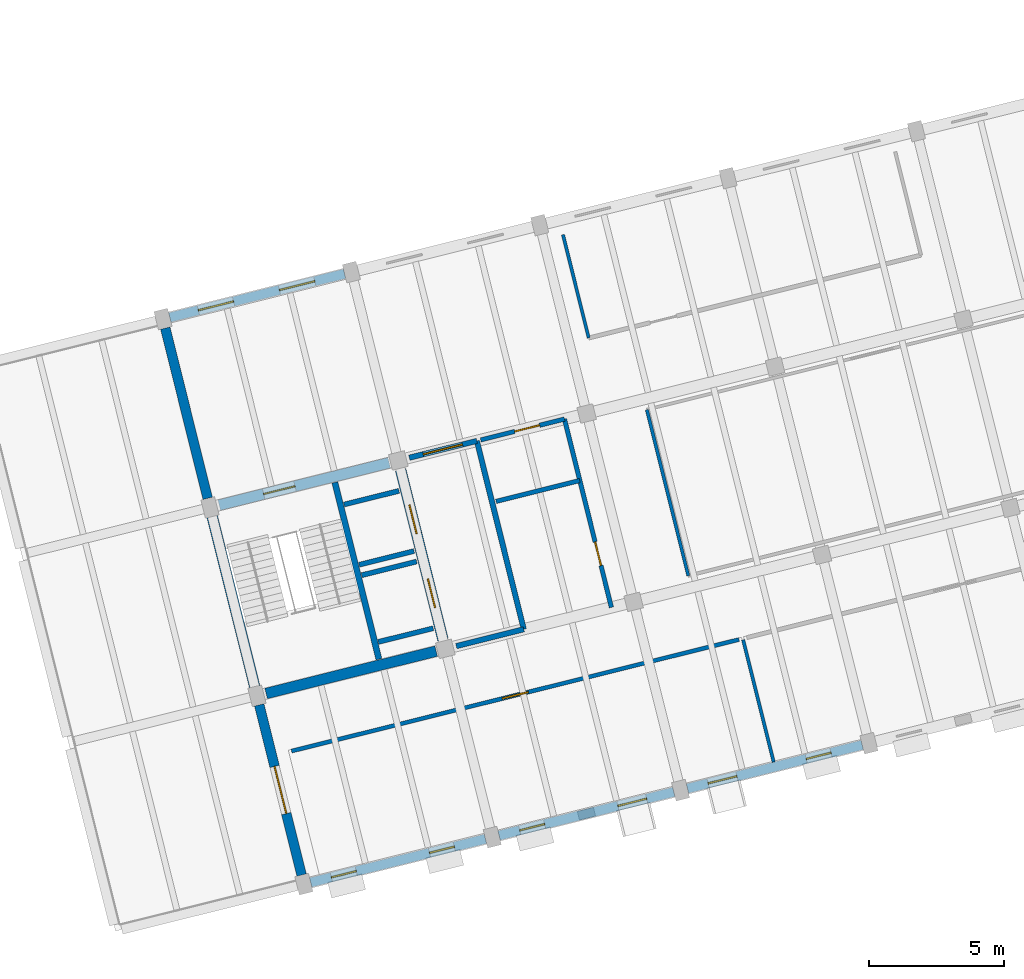
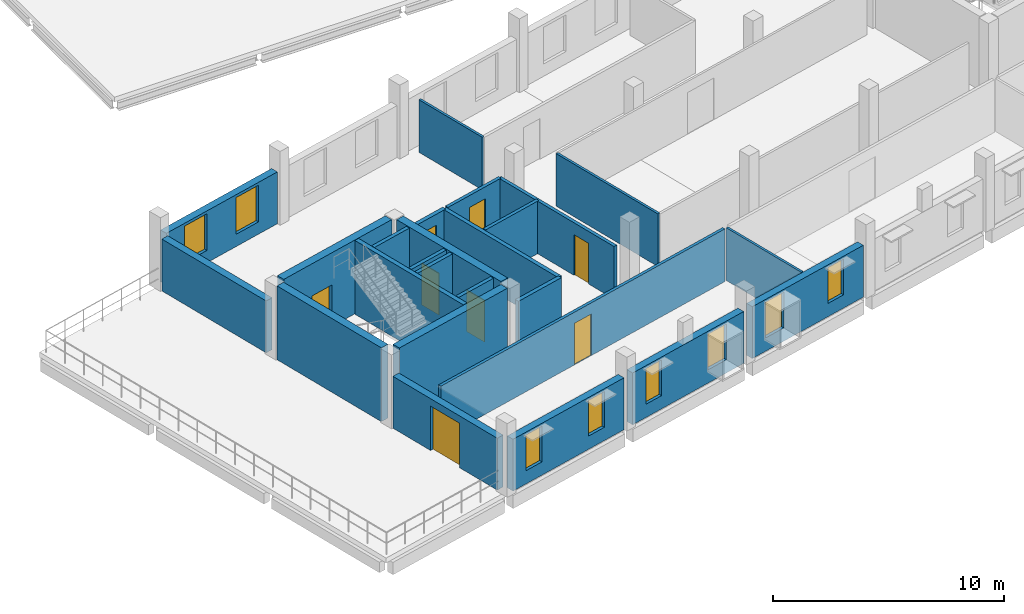
# One storey, part 23 of 32: 25 walls, 8 doors, 8 windows, 16 openings.
"""IFC4 building model written with IfcOpenShell, lengths in metres."""

from ifc_helpers import new_model, si_unit, direction, frame, frame_2d, origin, place, context, subcontext, project, spatial, rectangle, extrude, material, layer, layer_set, type_object, element, fill, save


model = new_model("IFC4")

# Units and contexts
model_context = context("Model", 3, precision=1e-05, world=origin(), true_north=direction((0.0, 1.0)))
body_context = subcontext(model_context, "Body", "Model", "MODEL_VIEW")
ifc_project = project(units=[si_unit("LENGTHUNIT", "METRE"), si_unit("AREAUNIT", "SQUARE_METRE"), si_unit("VOLUMEUNIT", "CUBIC_METRE"), si_unit("PLANEANGLEUNIT", "RADIAN"), si_unit("MASSUNIT", "GRAM", prefix="KILO")], contexts=[model_context])

# Site, building, storey
site_placement = place(None, origin())
site = spatial("IfcSite", under=ifc_project, at=site_placement, CompositionType="ELEMENT")
building_placement = place(site_placement, origin())
building = spatial("IfcBuilding", under=site, at=building_placement, Name="Qiaolan Assembly House", CompositionType="ELEMENT")
storey_placement = place(building_placement, frame((0.0, 0.0, 18.60009765625)))
storey = spatial("IfcBuildingStorey", under=building, at=storey_placement, Name="L04", CompositionType="ELEMENT", Elevation=18.60009765625)

# Wall
ifc_material_1 = material(Name="Concrete C45/55", Category="concrete")
ifc_layer_1 = layer(ifc_material_1, 0.39990234375)
ifc_layer_set_1 = layer_set([ifc_layer_1], Name="Concrete C45/55")
wall_type_1 = type_object("IfcWallType", Name="WAL-CORE-400", PredefinedType="SHEAR", material=ifc_layer_set_1)
wall_1_placement = place(storey_placement, frame((41.583984375, 8.812744140625, 0.0), z_axis=(0.0, 0.0, 1.0), x_axis=(0.970294759049, 0.241925774902, 0.0)))
element("IfcWall", 1, at=wall_1_placement, inside=storey, type_object=wall_type_1, Name="CW-400 shear core wall CORE-C S L04", PredefinedType="SHEAR", context=body_context, shape_type="SweptSolid", body=[
    extrude(rectangle(XDim=6.5, YDim=0.39990234375, at=frame_2d((3.25, 0.0))), origin(), (0.0, 0.0, 1.0), 3.89990234375),
])

# Wall, openings, doors
wall_2_placement = place(storey_placement, frame((48.145751953125, 10.809326171875, 0.0), z_axis=(0.0, 0.0, 1.0), x_axis=(-0.241925774902, 0.970294759049, 0.0)))
wall_2 = element("IfcWall", 2, at=wall_2_placement, inside=storey, type_object=wall_type_1, Name="CW-400 shear core wall CORE-C E L04", PredefinedType="SHEAR", context=body_context, shape_type="SweptSolid", body=[
    extrude(rectangle(XDim=6.5, YDim=0.39990234375, at=frame_2d((3.25, 0.0))), origin(), (0.0, 0.0, 1.0), 3.89990234375),
])
opening_1_placement = place(wall_2_placement, frame((1.22509765625, 0.0, 0.0)))
opening_1 = element("IfcOpeningElement", 3, at=opening_1_placement, cuts=wall_2, Name="Opening LD-050", PredefinedType="OPENING", context=body_context, shape_type="SweptSolid", body=[
    extrude(rectangle(XDim=1.10009765625, YDim=2.199951171875, at=frame_2d((0.550048828125, 1.10009765625))), frame((0.0, 0.2099609375, 0.0), z_axis=(0.0, -1.0, 0.0), x_axis=(1.0, 0.0, 0.0)), (0.0, 0.0, 1.0), 0.419921875),
])
opening_2_placement = place(wall_2_placement, frame((4.050048828125, 0.0, 0.0)))
opening_2 = element("IfcOpeningElement", 4, at=opening_2_placement, cuts=wall_2, Name="Opening LD-056", PredefinedType="OPENING", context=body_context, shape_type="SweptSolid", body=[
    extrude(rectangle(XDim=1.10009765625, YDim=2.199951171875, at=frame_2d((0.550048828125, 1.10009765625))), frame((0.0, 0.2099609375, 0.0), z_axis=(0.0, -1.0, 0.0), x_axis=(1.0, 0.0, 0.0)), (0.0, 0.0, 1.0), 0.419921875),
])
ifc_material_2 = material(Name="Anodised bronze aluminium", Category="aluminium")
door_type_1 = type_object("IfcDoorType", Name="DOR-LIFT-LD1100", OperationType="SLIDING_TO_LEFT", PredefinedType="DOOR", material=ifc_material_2)
door_1_placement = place(opening_1_placement, origin())
door_1 = element("IfcDoor", 5, at=door_1_placement, inside=storey, type_object=door_type_1, Name="Lift landing door LD-050 (LF-06 L04)", OperationType="SLIDING_TO_LEFT", OverallHeight=2.199951171875, OverallWidth=1.10009765625, PredefinedType="DOOR", context=body_context, shape_type="SweptSolid", body=[
    extrude(rectangle(XDim=1.10009765625, YDim=2.199951171875, at=frame_2d((0.550048828125, 1.10009765625))), frame((0.0, 0.02490234375, 0.0), z_axis=(0.0, -1.0, 0.0), x_axis=(1.0, 0.0, 0.0)), (0.0, 0.0, 1.0), 0.050048828125),
])
fill(opening_1, door_1)
door_2_placement = place(opening_2_placement, origin())
door_2 = element("IfcDoor", 6, at=door_2_placement, inside=storey, type_object=door_type_1, Name="Lift landing door LD-056 (LF-07 L04)", OperationType="SLIDING_TO_LEFT", OverallHeight=2.199951171875, OverallWidth=1.10009765625, PredefinedType="DOOR", context=body_context, shape_type="SweptSolid", body=[
    extrude(rectangle(XDim=1.10009765625, YDim=2.199951171875, at=frame_2d((0.550048828125, 1.10009765625))), frame((0.0, 0.02490234375, 0.0), z_axis=(0.0, -1.0, 0.0), x_axis=(1.0, 0.0, 0.0)), (0.0, 0.0, 1.0), 0.050048828125),
])
fill(opening_2, door_2)

# Wall, opening, door
wall_3_placement = place(storey_placement, frame((46.14892578125, 17.371337890625, 0.0), z_axis=(0.0, 0.0, 1.0), x_axis=(-0.970294759049, -0.241925774902, 0.0)))
wall_3 = element("IfcWall", 7, at=wall_3_placement, inside=storey, type_object=wall_type_1, Name="CW-400 shear core wall CORE-C N L04", PredefinedType="SHEAR", context=body_context, shape_type="SweptSolid", body=[
    extrude(rectangle(XDim=6.5, YDim=0.39990234375, at=frame_2d((3.25, 0.0))), origin(), (0.0, 0.0, 1.0), 3.89990234375),
])
opening_3_placement = place(wall_3_placement, frame((3.60009765625, 0.0, 0.0)))
opening_3 = element("IfcOpeningElement", 8, at=opening_3_placement, cuts=wall_3, Name="Opening FD-087", PredefinedType="OPENING", context=body_context, shape_type="SweptSolid", body=[
    extrude(rectangle(XDim=1.199951171875, YDim=2.199951171875, at=frame_2d((0.60009765625, 1.10009765625))), frame((0.0, 0.2099609375, 0.0), z_axis=(0.0, -1.0, 0.0), x_axis=(1.0, 0.0, 0.0)), (0.0, 0.0, 1.0), 0.419921875),
])
ifc_material_3 = material(Name="Steel Q355B", Category="steel")
door_type_2 = type_object("IfcDoorType", Name="DOR-FIRE-FD90-1200", OperationType="NOTDEFINED", PredefinedType="DOOR", material=ifc_material_3)
door_3_placement = place(opening_3_placement, frame((1.199951171875, 0.0, 0.0), z_axis=(0.0, 0.0, 1.0), x_axis=(-1.0, 0.0, 0.0)))
door_3 = element("IfcDoor", 9, at=door_3_placement, inside=storey, type_object=door_type_2, Name="Stairwell fire door FD-087 (CORE-C L04)", OperationType="SINGLE_SWING_LEFT", OverallHeight=2.199951171875, OverallWidth=1.199951171875, PredefinedType="DOOR", context=body_context, shape_type="SweptSolid", body=[
    extrude(rectangle(XDim=1.199951171875, YDim=2.199951171875, at=frame_2d((0.60009765625, 1.10009765625))), frame((0.0, 0.02490234375, 0.0), z_axis=(0.0, -1.0, 0.0), x_axis=(1.0, 0.0, 0.0)), (0.0, 0.0, 1.0), 0.050048828125),
])
fill(opening_3, door_3)

# Wall
wall_4_placement = place(storey_placement, frame((39.587158203125, 15.37451171875, 0.0), z_axis=(0.0, 0.0, 1.0), x_axis=(0.241925774902, -0.970294759049, 0.0)))
element("IfcWall", 10, at=wall_4_placement, inside=storey, type_object=wall_type_1, Name="CW-400 shear core wall CORE-C W L04", PredefinedType="SHEAR", context=body_context, shape_type="SweptSolid", body=[
    extrude(rectangle(XDim=6.5, YDim=0.39990234375, at=frame_2d((3.25, 0.0))), origin(), (0.0, 0.0, 1.0), 3.89990234375),
])

# Wall, openings, windows
ifc_material_4 = material(Name="Honed pale limestone", Category="masonry")
ifc_layer_2 = layer(ifc_material_4, 0.360107421875)
ifc_layer_set_2 = layer_set([ifc_layer_2], Name="Honed pale limestone")
wall_type_2 = type_object("IfcWallType", Name="WAL-EXT-LIMESTONE-360", PredefinedType="SOLIDWALL", material=ifc_layer_set_2)
wall_5_placement = place(storey_placement, frame((43.236572265625, 1.80419921875, 0.0), z_axis=(0.0, 0.0, 1.0), x_axis=(0.970297004388, 0.241916769314, 0.0)))
wall_5 = element("IfcWall", 11, at=wall_5_placement, inside=storey, type_object=wall_type_2, Name="EW-360 SE South boulevard wall L04 bay 1", PredefinedType="SOLIDWALL", context=body_context, shape_type="SweptSolid", body=[
    extrude(rectangle(XDim=6.683837890625, YDim=0.360107421875, at=frame_2d((3.341796875, 0.0))), origin(), (0.0, 0.0, 1.0), 2.739990234375),
])
opening_4_placement = place(wall_5_placement, frame((0.7919921875, 0.0, 0.699951171875)))
opening_4 = element("IfcOpeningElement", 12, at=opening_4_placement, cuts=wall_5, Name="Opening WN-340", PredefinedType="OPENING", context=body_context, shape_type="SweptSolid", body=[
    extrude(rectangle(XDim=0.949951171875, YDim=1.889892578125, at=frame_2d((0.47509765625, 0.94482421875))), frame((0.0, 0.18994140625, 0.0), z_axis=(0.0, -1.0, 0.0), x_axis=(1.0, 0.0, 0.0)), (0.0, 0.0, 1.0), 0.380126953125),
])
opening_5_placement = place(wall_5_placement, frame((4.5419921875, 0.0, 0.699951171875)))
opening_5 = element("IfcOpeningElement", 13, at=opening_5_placement, cuts=wall_5, Name="Opening WN-341", PredefinedType="OPENING", context=body_context, shape_type="SweptSolid", body=[
    extrude(rectangle(XDim=0.949951171875, YDim=1.889892578125, at=frame_2d((0.47509765625, 0.94482421875))), frame((0.0, 0.18994140625, 0.0), z_axis=(0.0, -1.0, 0.0), x_axis=(1.0, 0.0, 0.0)), (0.0, 0.0, 1.0), 0.380126953125),
])
ifc_material_5 = material(Name="Low-E double insulating glass", Category="glass")
window_type_1 = type_object("IfcWindowType", Name="WIN-PUNCH-950x2150", PartitioningType="SINGLE_PANEL", PredefinedType="WINDOW", material=ifc_material_5)
window_1_placement = place(opening_4_placement, origin())
window_1 = element("IfcWindow", 14, at=window_1_placement, inside=storey, type_object=window_type_1, Name="WN-T14 splayed window WN-340", OverallHeight=1.889892578125, OverallWidth=0.949951171875, PartitioningType="SINGLE_PANEL", PredefinedType="WINDOW", context=body_context, shape_type="SweptSolid", body=[
    extrude(rectangle(XDim=0.949951171875, YDim=1.889892578125, at=frame_2d((0.47509765625, 0.94482421875))), frame((0.0, 0.030029296875, 0.0), z_axis=(0.0, -1.0, 0.0), x_axis=(1.0, 0.0, 0.0)), (0.0, 0.0, 1.0), 0.06005859375),
])
fill(opening_4, window_1)
window_2_placement = place(opening_5_placement, origin())
window_2 = element("IfcWindow", 15, at=window_2_placement, inside=storey, type_object=window_type_1, Name="WN-T14 splayed window WN-341", OverallHeight=1.889892578125, OverallWidth=0.949951171875, PartitioningType="SINGLE_PANEL", PredefinedType="WINDOW", context=body_context, shape_type="SweptSolid", body=[
    extrude(rectangle(XDim=0.949951171875, YDim=1.889892578125, at=frame_2d((0.47509765625, 0.94482421875))), frame((0.0, 0.030029296875, 0.0), z_axis=(0.0, -1.0, 0.0), x_axis=(1.0, 0.0, 0.0)), (0.0, 0.0, 1.0), 0.06005859375),
])
fill(opening_5, window_2)

wall_6_placement = place(storey_placement, frame((50.22265625, 3.546142578125, 0.0), z_axis=(0.0, 0.0, 1.0), x_axis=(0.970297004388, 0.241916769314, 0.0)))
wall_6 = element("IfcWall", 16, at=wall_6_placement, inside=storey, type_object=wall_type_2, Name="EW-360 SE South boulevard wall L04 bay 2", PredefinedType="SOLIDWALL", context=body_context, shape_type="SweptSolid", body=[
    extrude(rectangle(XDim=6.683837890625, YDim=0.360107421875, at=frame_2d((3.341796875, 0.0))), origin(), (0.0, 0.0, 1.0), 2.739990234375),
])
opening_6_placement = place(wall_6_placement, frame((0.7919921875, 0.0, 0.699951171875)))
opening_6 = element("IfcOpeningElement", 17, at=opening_6_placement, cuts=wall_6, Name="Opening WN-342", PredefinedType="OPENING", context=body_context, shape_type="SweptSolid", body=[
    extrude(rectangle(XDim=0.949951171875, YDim=1.889892578125, at=frame_2d((0.47509765625, 0.94482421875))), frame((0.0, 0.18994140625, 0.0), z_axis=(0.0, -1.0, 0.0), x_axis=(1.0, 0.0, 0.0)), (0.0, 0.0, 1.0), 0.380126953125),
])
opening_7_placement = place(wall_6_placement, frame((4.5419921875, 0.0, 0.699951171875)))
opening_7 = element("IfcOpeningElement", 18, at=opening_7_placement, cuts=wall_6, Name="Opening WN-343", PredefinedType="OPENING", context=body_context, shape_type="SweptSolid", body=[
    extrude(rectangle(XDim=1.10009765625, YDim=1.889892578125, at=frame_2d((0.550048828125, 0.94482421875))), frame((0.0, 0.18994140625, 0.0), z_axis=(0.0, -1.0, 0.0), x_axis=(1.0, 0.0, 0.0)), (0.0, 0.0, 1.0), 0.380126953125),
])
window_type_2 = type_object("IfcWindowType", Name="WIN-BOX-1100x2350", PartitioningType="SINGLE_PANEL", PredefinedType="WINDOW", material=ifc_material_5)
window_3_placement = place(opening_7_placement, origin())
window_3 = element("IfcWindow", 19, at=window_3_placement, inside=storey, type_object=window_type_2, Name="WN-T11 splayed window WN-343", OverallHeight=1.889892578125, OverallWidth=1.10009765625, PartitioningType="SINGLE_PANEL", PredefinedType="WINDOW", context=body_context, shape_type="SweptSolid", body=[
    extrude(rectangle(XDim=1.10009765625, YDim=1.889892578125, at=frame_2d((0.550048828125, 0.94482421875))), frame((0.0, 0.030029296875, 0.0), z_axis=(0.0, -1.0, 0.0), x_axis=(1.0, 0.0, 0.0)), (0.0, 0.0, 1.0), 0.06005859375),
])
fill(opening_7, window_3)
window_4_placement = place(opening_6_placement, origin())
window_4 = element("IfcWindow", 20, at=window_4_placement, inside=storey, type_object=window_type_1, Name="WN-T14 splayed window WN-342", OverallHeight=1.889892578125, OverallWidth=0.949951171875, PartitioningType="SINGLE_PANEL", PredefinedType="WINDOW", context=body_context, shape_type="SweptSolid", body=[
    extrude(rectangle(XDim=0.949951171875, YDim=1.889892578125, at=frame_2d((0.47509765625, 0.94482421875))), frame((0.0, 0.030029296875, 0.0), z_axis=(0.0, -1.0, 0.0), x_axis=(1.0, 0.0, 0.0)), (0.0, 0.0, 1.0), 0.06005859375),
])
fill(opening_6, window_4)

wall_7_placement = place(storey_placement, frame((57.208740234375, 5.287841796875, 0.0), z_axis=(0.0, 0.0, 1.0), x_axis=(0.970288429886, 0.241951157942, 0.0)))
wall_7 = element("IfcWall", 21, at=wall_7_placement, inside=storey, type_object=wall_type_2, Name="EW-360 SE South boulevard wall L04 bay 3", PredefinedType="SOLIDWALL", context=body_context, shape_type="SweptSolid", body=[
    extrude(rectangle(XDim=6.683837890625, YDim=0.360107421875, at=frame_2d((3.341796875, 0.0))), origin(), (0.0, 0.0, 1.0), 2.739990234375),
])
opening_8_placement = place(wall_7_placement, frame((0.7919921875, 0.0, 0.699951171875)))
opening_8 = element("IfcOpeningElement", 22, at=opening_8_placement, cuts=wall_7, Name="Opening WN-344", PredefinedType="OPENING", context=body_context, shape_type="SweptSolid", body=[
    extrude(rectangle(XDim=1.10009765625, YDim=1.889892578125, at=frame_2d((0.550048828125, 0.94482421875))), frame((0.0, 0.18994140625, 0.0), z_axis=(0.0, -1.0, 0.0), x_axis=(1.0, 0.0, 0.0)), (0.0, 0.0, 1.0), 0.380126953125),
])
opening_9_placement = place(wall_7_placement, frame((4.5419921875, 0.0, 0.699951171875)))
opening_9 = element("IfcOpeningElement", 23, at=opening_9_placement, cuts=wall_7, Name="Opening WN-345", PredefinedType="OPENING", context=body_context, shape_type="SweptSolid", body=[
    extrude(rectangle(XDim=0.949951171875, YDim=1.889892578125, at=frame_2d((0.47509765625, 0.94482421875))), frame((0.0, 0.18994140625, 0.0), z_axis=(0.0, -1.0, 0.0), x_axis=(1.0, 0.0, 0.0)), (0.0, 0.0, 1.0), 0.380126953125),
])
window_5_placement = place(opening_8_placement, origin())
window_5 = element("IfcWindow", 24, at=window_5_placement, inside=storey, type_object=window_type_2, Name="WN-T11 splayed window WN-344", OverallHeight=1.889892578125, OverallWidth=1.10009765625, PartitioningType="SINGLE_PANEL", PredefinedType="WINDOW", context=body_context, shape_type="SweptSolid", body=[
    extrude(rectangle(XDim=1.10009765625, YDim=1.889892578125, at=frame_2d((0.550048828125, 0.94482421875))), frame((0.0, 0.030029296875, 0.0), z_axis=(0.0, -1.0, 0.0), x_axis=(1.0, 0.0, 0.0)), (0.0, 0.0, 1.0), 0.06005859375),
])
fill(opening_8, window_5)
window_6_placement = place(opening_9_placement, origin())
window_6 = element("IfcWindow", 25, at=window_6_placement, inside=storey, type_object=window_type_1, Name="WN-T14 splayed window WN-345", OverallHeight=1.889892578125, OverallWidth=0.949951171875, PartitioningType="SINGLE_PANEL", PredefinedType="WINDOW", context=body_context, shape_type="SweptSolid", body=[
    extrude(rectangle(XDim=0.949951171875, YDim=1.889892578125, at=frame_2d((0.47509765625, 0.94482421875))), frame((0.0, 0.030029296875, 0.0), z_axis=(0.0, -1.0, 0.0), x_axis=(1.0, 0.0, 0.0)), (0.0, 0.0, 1.0), 0.06005859375),
])
fill(opening_9, window_6)

wall_8_placement = place(storey_placement, frame((44.496337890625, 24.379638671875, 0.0), z_axis=(0.0, 0.0, 1.0), x_axis=(-0.970297004388, -0.241916769314, 0.0)))
wall_8 = element("IfcWall", 26, at=wall_8_placement, inside=storey, type_object=wall_type_2, Name="EW-360 SE North court wall L04 bay 1", PredefinedType="SOLIDWALL", context=body_context, shape_type="SweptSolid", body=[
    extrude(rectangle(XDim=6.683837890625, YDim=0.360107421875, at=frame_2d((3.341796875, 0.0))), origin(), (0.0, 0.0, 1.0), 2.739990234375),
])
opening_10_placement = place(wall_8_placement, frame((1.14208984375, 0.0, 0.64990234375)))
opening_10 = element("IfcOpeningElement", 27, at=opening_10_placement, cuts=wall_8, Name="Opening WN-354", PredefinedType="OPENING", context=body_context, shape_type="SweptSolid", body=[
    extrude(rectangle(XDim=1.35009765625, YDim=1.93994140625, at=frame_2d((0.675048828125, 0.969970703125))), frame((0.0, 0.18994140625, 0.0), z_axis=(0.0, -1.0, 0.0), x_axis=(1.0, 0.0, 0.0)), (0.0, 0.0, 1.0), 0.380126953125),
])
opening_11_placement = place(wall_8_placement, frame((4.241943359375, 0.0, 0.64990234375)))
opening_11 = element("IfcOpeningElement", 28, at=opening_11_placement, cuts=wall_8, Name="Opening WN-355", PredefinedType="OPENING", context=body_context, shape_type="SweptSolid", body=[
    extrude(rectangle(XDim=1.35009765625, YDim=1.93994140625, at=frame_2d((0.675048828125, 0.969970703125))), frame((0.0, 0.18994140625, 0.0), z_axis=(0.0, -1.0, 0.0), x_axis=(1.0, 0.0, 0.0)), (0.0, 0.0, 1.0), 0.380126953125),
])
window_type_3 = type_object("IfcWindowType", Name="WIN-COURT-1350x2150", PartitioningType="DOUBLE_PANEL_VERTICAL", PredefinedType="WINDOW", material=ifc_material_5)
window_7_placement = place(opening_10_placement, origin())
window_7 = element("IfcWindow", 29, at=window_7_placement, inside=storey, type_object=window_type_3, Name="SE court window WN-354", OverallHeight=1.93994140625, OverallWidth=1.35009765625, PartitioningType="DOUBLE_PANEL_VERTICAL", PredefinedType="WINDOW", context=body_context, shape_type="SweptSolid", body=[
    extrude(rectangle(XDim=1.35009765625, YDim=1.93994140625, at=frame_2d((0.675048828125, 0.969970703125))), frame((0.0, 0.030029296875, 0.0), z_axis=(0.0, -1.0, 0.0), x_axis=(1.0, 0.0, 0.0)), (0.0, 0.0, 1.0), 0.06005859375),
])
fill(opening_10, window_7)
window_8_placement = place(opening_11_placement, origin())
window_8 = element("IfcWindow", 30, at=window_8_placement, inside=storey, type_object=window_type_3, Name="SE court window WN-355", OverallHeight=1.93994140625, OverallWidth=1.35009765625, PartitioningType="DOUBLE_PANEL_VERTICAL", PredefinedType="WINDOW", context=body_context, shape_type="SweptSolid", body=[
    extrude(rectangle(XDim=1.35009765625, YDim=1.93994140625, at=frame_2d((0.675048828125, 0.969970703125))), frame((0.0, 0.030029296875, 0.0), z_axis=(0.0, -1.0, 0.0), x_axis=(1.0, 0.0, 0.0)), (0.0, 0.0, 1.0), 0.06005859375),
])
fill(opening_11, window_8)

# Wall, opening, door
wall_9_placement = place(storey_placement, frame((41.328369140625, 8.390380859375, 0.0), z_axis=(0.0, 0.0, 1.0), x_axis=(0.241926152475, -0.970294664908, 0.0)))
wall_9 = element("IfcWall", 31, at=wall_9_placement, inside=storey, type_object=wall_type_2, Name="SE West wall L04-1", PredefinedType="SOLIDWALL", context=body_context, shape_type="SweptSolid", body=[
    extrude(rectangle(XDim=6.50390625, YDim=0.360107421875, at=frame_2d((3.251953125, 0.0))), origin(), (0.0, 0.0, 1.0), 2.739990234375),
])
opening_12_placement = place(wall_9_placement, frame((2.35205078125, 0.0, 0.0)))
opening_12 = element("IfcOpeningElement", 32, at=opening_12_placement, cuts=wall_9, Name="Opening TD-022", PredefinedType="OPENING", context=body_context, shape_type="SweptSolid", body=[
    extrude(rectangle(XDim=1.800048828125, YDim=2.35009765625, at=frame_2d((0.89990234375, 1.175048828125))), frame((0.0, 0.18994140625, 0.0), z_axis=(0.0, -1.0, 0.0), x_axis=(1.0, 0.0, 0.0)), (0.0, 0.0, 1.0), 0.380126953125),
])
door_type_3 = type_object("IfcDoorType", Name="DOR-TERR-GLZ-1800", OperationType="DOUBLE_DOOR_SINGLE_SWING", PredefinedType="DOOR", material=ifc_material_2)
door_4_placement = place(opening_12_placement, frame((1.800048828125, 0.0, 0.0), z_axis=(0.0, 0.0, 1.0), x_axis=(-1.0, 0.0, 0.0)))
door_4 = element("IfcDoor", 33, at=door_4_placement, inside=storey, type_object=door_type_3, Name="L04 Splayed West Terrace door TD-022", OperationType="DOUBLE_DOOR_SINGLE_SWING", OverallHeight=2.35009765625, OverallWidth=1.800048828125, PredefinedType="DOOR", context=body_context, shape_type="SweptSolid", body=[
    extrude(rectangle(XDim=1.800048828125, YDim=2.35009765625, at=frame_2d((0.89990234375, 1.175048828125))), frame((0.0, 0.02490234375, 0.0), z_axis=(0.0, -1.0, 0.0), x_axis=(1.0, 0.0, 0.0)), (0.0, 0.0, 1.0), 0.050048828125),
])
fill(opening_12, door_4)

# Walls
wall_10_placement = place(storey_placement, frame((37.8447265625, 22.362548828125, 0.0), z_axis=(0.0, 0.0, 1.0), x_axis=(0.241926152475, -0.970294664908, 0.0)))
element("IfcWall", 34, at=wall_10_placement, inside=storey, type_object=wall_type_2, Name="SE West wall L04-3", PredefinedType="SOLIDWALL", context=body_context, shape_type="SweptSolid", body=[
    extrude(rectangle(XDim=6.50390625, YDim=0.360107421875, at=frame_2d((3.251953125, 0.0))), origin(), (0.0, 0.0, 1.0), 2.739990234375),
])
ifc_material_6 = material(Name="Concrete C35/45", Category="concrete")
ifc_layer_3 = layer(ifc_material_6, 0.199951171875)
ifc_layer_set_3 = layer_set([ifc_layer_3], Name="Concrete C35/45")
wall_type_3 = type_object("IfcWallType", Name="WAL-LOBBY-200", PredefinedType="PARTITIONING", material=ifc_layer_set_3)
wall_11_placement = place(storey_placement, frame((51.141357421875, 11.195556640625, 0.0), z_axis=(0.0, 0.0, 1.0), x_axis=(-0.241937193493, 0.970291911955, 0.0)))
element("IfcWall", 35, at=wall_11_placement, inside=storey, type_object=wall_type_3, Name="Firefighting lift lobby east wall CORE-C L04", PredefinedType="PARTITIONING", context=body_context, shape_type="SweptSolid", body=[
    extrude(rectangle(XDim=7.199951171875, YDim=0.199951171875, at=frame_2d((3.60009765625, 0.0))), origin(), (0.0, 0.0, 1.0), 2.77978515625),
])
wall_12_placement = place(storey_placement, frame((48.637939453125, 10.571533203125, 0.0), z_axis=(0.0, 0.0, 1.0), x_axis=(0.970309259708, 0.2418676095, 0.0)))
element("IfcWall", 36, at=wall_12_placement, inside=storey, type_object=wall_type_3, Name="Firefighting lift lobby south wall CORE-C L04", PredefinedType="PARTITIONING", context=body_context, shape_type="SweptSolid", body=[
    extrude(rectangle(XDim=2.580078125, YDim=0.199951171875, at=frame_2d((1.2900390625, 0.0))), origin(), (0.0, 0.0, 1.0), 2.77978515625),
])

# Wall, opening, door
wall_13_placement = place(storey_placement, frame((49.3994140625, 18.181640625, 0.0), z_axis=(0.0, 0.0, 1.0), x_axis=(-0.970309259708, -0.2418676095, 0.0)))
wall_13 = element("IfcWall", 37, at=wall_13_placement, inside=storey, type_object=wall_type_3, Name="Firefighting lift lobby north wall CORE-C L04", PredefinedType="PARTITIONING", context=body_context, shape_type="SweptSolid", body=[
    extrude(rectangle(XDim=2.580078125, YDim=0.199951171875, at=frame_2d((1.2900390625, 0.0))), origin(), (0.0, 0.0, 1.0), 2.77978515625),
])
opening_13_placement = place(wall_13_placement, frame((0.550048828125, 0.0, 0.0)))
opening_13 = element("IfcOpeningElement", 38, at=opening_13_placement, cuts=wall_13, Name="Opening FD-088", PredefinedType="OPENING", context=body_context, shape_type="SweptSolid", body=[
    extrude(rectangle(XDim=1.5, YDim=2.199951171875, at=frame_2d((0.75, 1.10009765625))), frame((0.0, 0.10986328125, 0.0), z_axis=(0.0, -1.0, 0.0), x_axis=(1.0, 0.0, 0.0)), (0.0, 0.0, 1.0), 0.219970703125),
])
ifc_material_7 = material(Name="Acoustic oak panelling")
door_type_4 = type_object("IfcDoorType", Name="DOR-LOBBY-FD60-1500", OperationType="DOUBLE_DOOR_SINGLE_SWING", PredefinedType="DOOR", material=ifc_material_7)
door_5_placement = place(opening_13_placement, frame((1.5, 0.0, 0.0), z_axis=(0.0, 0.0, 1.0), x_axis=(-1.0, 0.0, 0.0)))
door_5 = element("IfcDoor", 39, at=door_5_placement, inside=storey, type_object=door_type_4, Name="Lobby corridor fire door FD-088", OperationType="DOUBLE_DOOR_SINGLE_SWING", OverallHeight=2.199951171875, OverallWidth=1.5, PredefinedType="DOOR", context=body_context, shape_type="SweptSolid", body=[
    extrude(rectangle(XDim=1.5, YDim=2.199951171875, at=frame_2d((0.75, 1.10009765625))), frame((0.0, 0.02490234375, 0.0), z_axis=(0.0, -1.0, 0.0), x_axis=(1.0, 0.0, 0.0)), (0.0, 0.0, 1.0), 0.050048828125),
])
fill(opening_13, door_5)

# Walls
ifc_material_8 = material(Name="Gypsum plasterboard partition")
ifc_layer_4 = layer(ifc_material_8, 0.1201171875)
ifc_layer_set_4 = layer_set([ifc_layer_4], Name="Gypsum plasterboard partition")
wall_type_4 = type_object("IfcWallType", Name="WAL-PART-120", PredefinedType="PARTITIONING", material=ifc_layer_set_4)
wall_14_placement = place(storey_placement, frame((60.407958984375, 6.27099609375, 0.0), z_axis=(0.0, 0.0, 1.0), x_axis=(-0.241945139998, 0.970289930501, 0.0)))
element("IfcWall", 40, at=wall_14_placement, inside=storey, type_object=wall_type_4, Name="Smart Mobility Traffic Briefing Room demising wall", PredefinedType="PARTITIONING", context=body_context, shape_type="SweptSolid", body=[
    extrude(rectangle(XDim=4.669921875, YDim=0.1201171875, at=frame_2d((2.3349609375, 0.0))), origin(), (0.0, 0.0, 1.0), 2.77978515625),
])
wall_15_placement = place(storey_placement, frame((57.242431640625, 13.180419921875, 0.0), z_axis=(0.0, 0.0, 1.0), x_axis=(-0.241947566099, 0.970289325541, 0.0)))
element("IfcWall", 41, at=wall_15_placement, inside=storey, type_object=wall_type_4, Name="Smart City Operations & Dispatch Room west partition", PredefinedType="PARTITIONING", context=body_context, shape_type="SweptSolid", body=[
    extrude(rectangle(XDim=6.35009765625, YDim=0.1201171875, at=frame_2d((3.175048828125, 0.0))), origin(), (0.0, 0.0, 1.0), 2.77978515625),
])
wall_16_placement = place(storey_placement, frame((53.54931640625, 21.9990234375, 0.0), z_axis=(0.0, 0.0, 1.0), x_axis=(-0.241910239337, 0.970298632434, 0.0)))
element("IfcWall", 42, at=wall_16_placement, inside=storey, type_object=wall_type_4, Name="Court Outlook Consultation Suite L04 west wall", PredefinedType="PARTITIONING", context=body_context, shape_type="SweptSolid", body=[
    extrude(rectangle(XDim=3.9501953125, YDim=0.1201171875, at=frame_2d((1.97509765625, 0.0))), origin(), (0.0, 0.0, 1.0), 2.77978515625),
])

# Wall, opening, door
ifc_layer_5 = layer(ifc_material_8, 0.14990234375)
ifc_layer_set_5 = layer_set([ifc_layer_5], Name="Gypsum plasterboard partition")
wall_type_5 = type_object("IfcWallType", Name="WAL-PART-150", PredefinedType="PARTITIONING", material=ifc_layer_set_5)
wall_17_placement = place(storey_placement, frame((42.5283203125, 6.677734375, 0.0), z_axis=(0.0, 0.0, 1.0), x_axis=(0.97029515564, 0.241924184284, 0.0)))
wall_17 = element("IfcWall", 43, at=wall_17_placement, inside=storey, type_object=wall_type_5, Name="Transportation & River-Crossing Authority north wall", PredefinedType="PARTITIONING", context=body_context, shape_type="SweptSolid", body=[
    extrude(rectangle(XDim=17.100341796875, YDim=0.14990234375, at=frame_2d((8.55029296875, 0.0))), origin(), (0.0, 0.0, 1.0), 2.77978515625),
])
opening_14_placement = place(wall_17_placement, frame((8.050048828125, 0.0, 0.0)))
opening_14 = element("IfcOpeningElement", 44, at=opening_14_placement, cuts=wall_17, Name="Opening SD-262", PredefinedType="OPENING", context=body_context, shape_type="SweptSolid", body=[
    extrude(rectangle(XDim=1.0, YDim=2.199951171875, at=frame_2d((0.5, 1.10009765625))), frame((0.0, 0.0849609375, 0.0), z_axis=(0.0, -1.0, 0.0), x_axis=(1.0, 0.0, 0.0)), (0.0, 0.0, 1.0), 0.169921875),
])
door_type_5 = type_object("IfcDoorType", Name="DOR-OFF-SGL-1000", OperationType="NOTDEFINED", PredefinedType="DOOR", material=ifc_material_7)
door_6_placement = place(opening_14_placement, origin())
door_6 = element("IfcDoor", 45, at=door_6_placement, inside=storey, type_object=door_type_5, Name="Transportation & River-Crossing Authority door SD-262", OperationType="SINGLE_SWING_RIGHT", OverallHeight=2.199951171875, OverallWidth=1.0, PredefinedType="DOOR", context=body_context, shape_type="SweptSolid", body=[
    extrude(rectangle(XDim=1.0, YDim=2.199951171875, at=frame_2d((0.5, 1.10009765625))), frame((0.0, 0.02490234375, 0.0), z_axis=(0.0, -1.0, 0.0), x_axis=(1.0, 0.0, 0.0)), (0.0, 0.0, 1.0), 0.050048828125),
])
fill(opening_14, door_6)

# Walls
ifc_layer_6 = layer(ifc_material_6, 0.18505859375)
ifc_layer_set_6 = layer_set([ifc_layer_6], Name="Concrete C35/45")
wall_type_6 = type_object("IfcWallType", Name="WAL-SHAFT-200", PredefinedType="PARTITIONING", material=ifc_layer_set_6)
for number, where, z_axis, x_axis, name in (
    (46, (45.74462890625, 10.72607421875, 0.0), (0.0, 0.0, 1.0), (0.970292765557, 0.241933770084, 0.0), "SW-200 lift shaft wall LF-06 L04 DIVS"),
    (47, (45.127685546875, 13.2001953125, 0.0), (0.0, 0.0, 1.0), (0.970292765557, 0.241933770084, 0.0), "SW-200 lift shaft wall LF-06 L04 DIVN"),
    (48, (45.031005859375, 13.58837890625, 0.0), (0.0, 0.0, 1.0), (0.970292765557, 0.241933770084, 0.0), "SW-200 lift shaft wall LF-07 L04 DIVS"),
    (49, (44.474609375, 15.820068359375, 0.0), (0.0, 0.0, 1.0), (0.970292765557, 0.241933770084, 0.0), "SW-200 lift shaft wall LF-07 L04 DIVN"),
):
    element("IfcWall", number, at=place(storey_placement, frame(where, z_axis=z_axis, x_axis=x_axis)), inside=storey, type_object=wall_type_6, Name=name, PredefinedType="PARTITIONING", context=body_context, shape_type="SweptSolid", body=[
        extrude(rectangle(XDim=2.10009765625, YDim=0.18505859375, at=frame_2d((1.050048828125, 0.0))), origin(), (0.0, 0.0, 1.0), 3.89990234375),
    ])
ifc_material_9 = material(Name="Concrete C40/50", Category="concrete")
ifc_layer_7 = layer(ifc_material_9, 0.22509765625)
ifc_layer_set_7 = layer_set([ifc_layer_7], Name="Concrete C40/50")
wall_type_7 = type_object("IfcWallType", Name="WAL-STAIR-DIV-225", PredefinedType="SHEAR", material=ifc_layer_set_7)
wall_18_placement = place(storey_placement, frame((45.770751953125, 10.083251953125, 0.0), z_axis=(0.0, 0.0, 1.0), x_axis=(-0.241898249226, 0.970301621673, 0.0)))
element("IfcWall", 50, at=wall_18_placement, inside=storey, type_object=wall_type_7, Name="SDW-225 stairwell structural spine wall CORE-C L04", PredefinedType="SHEAR", context=body_context, shape_type="SweptSolid", body=[
    extrude(rectangle(XDim=6.760009765625, YDim=0.22509765625, at=frame_2d((3.3798828125, 0.0))), origin(), (0.0, 0.0, 1.0), 3.89990234375),
])

# Wall, opening, door
ifc_material_10 = material(Name="Concrete C30/37", Category="concrete")
ifc_layer_8 = layer(ifc_material_10, 0.1650390625)
ifc_layer_set_8 = layer_set([ifc_layer_8], Name="Concrete C30/37")
wall_type_8 = type_object("IfcWallType", Name="WAL-WET-150", PredefinedType="PARTITIONING", material=ifc_layer_set_8)
wall_19_placement = place(storey_placement, frame((54.391845703125, 12.006103515625, 0.0), z_axis=(0.0, 0.0, 1.0), x_axis=(-0.241937193493, 0.970291911955, 0.0)))
wall_19 = element("IfcWall", 51, at=wall_19_placement, inside=storey, type_object=wall_type_8, Name="Public WC east wall CORE-C L04", PredefinedType="PARTITIONING", context=body_context, shape_type="SweptSolid", body=[
    extrude(rectangle(XDim=7.199951171875, YDim=0.1650390625, at=frame_2d((3.60009765625, 0.0))), origin(), (0.0, 0.0, 1.0), 2.77978515625),
])
opening_15_placement = place(wall_19_placement, frame((1.60009765625, 0.0, 0.0)))
opening_15 = element("IfcOpeningElement", 52, at=opening_15_placement, cuts=wall_19, Name="Opening WD-089", PredefinedType="OPENING", context=body_context, shape_type="SweptSolid", body=[
    extrude(rectangle(XDim=0.89990234375, YDim=2.14990234375, at=frame_2d((0.449951171875, 1.074951171875))), frame((0.0, 0.092529296875, 0.0), z_axis=(0.0, -1.0, 0.0), x_axis=(1.0, 0.0, 0.0)), (0.0, 0.0, 1.0), 0.18505859375),
])
door_type_6 = type_object("IfcDoorType", Name="DOR-WC-900", OperationType="NOTDEFINED", PredefinedType="DOOR", material=ifc_material_7)
door_7_placement = place(opening_15_placement, origin())
door_7 = element("IfcDoor", 53, at=door_7_placement, inside=storey, type_object=door_type_6, Name="Public Restroom door WD-089", OperationType="SINGLE_SWING_RIGHT", OverallHeight=2.14990234375, OverallWidth=0.89990234375, PredefinedType="DOOR", context=body_context, shape_type="SweptSolid", body=[
    extrude(rectangle(XDim=0.89990234375, YDim=2.14990234375, at=frame_2d((0.449951171875, 1.074951171875))), frame((0.0, 0.02490234375, 0.0), z_axis=(0.0, -1.0, 0.0), x_axis=(1.0, 0.0, 0.0)), (0.0, 0.0, 1.0), 0.050048828125),
])
fill(opening_15, door_7)

wall_20_placement = place(storey_placement, frame((52.64990234375, 18.9921875, 0.0), z_axis=(0.0, 0.0, 1.0), x_axis=(-0.970294894235, -0.241925232711, 0.0)))
wall_20 = element("IfcWall", 54, at=wall_20_placement, inside=storey, type_object=wall_type_8, Name="Accessible WC corridor wall CORE-C L04", PredefinedType="PARTITIONING", context=body_context, shape_type="SweptSolid", body=[
    extrude(rectangle(XDim=3.199951171875, YDim=0.1650390625, at=frame_2d((1.60009765625, 0.0))), origin(), (0.0, 0.0, 1.0), 2.77978515625),
])
opening_16_placement = place(wall_20_placement, frame((0.949951171875, 0.0, 0.0)))
opening_16 = element("IfcOpeningElement", 55, at=opening_16_placement, cuts=wall_20, Name="Opening AD-090", PredefinedType="OPENING", context=body_context, shape_type="SweptSolid", body=[
    extrude(rectangle(XDim=0.949951171875, YDim=2.14990234375, at=frame_2d((0.47509765625, 1.074951171875))), frame((0.0, 0.092529296875, 0.0), z_axis=(0.0, -1.0, 0.0), x_axis=(1.0, 0.0, 0.0)), (0.0, 0.0, 1.0), 0.18505859375),
])
door_type_7 = type_object("IfcDoorType", Name="DOR-ACC-WC-950", OperationType="NOTDEFINED", PredefinedType="DOOR", material=ifc_material_7)
door_8_placement = place(opening_16_placement, origin())
door_8 = element("IfcDoor", 56, at=door_8_placement, inside=storey, type_object=door_type_7, Name="Accessible Restroom door AD-090", OperationType="SINGLE_SWING_LEFT", OverallHeight=2.14990234375, OverallWidth=0.949951171875, PredefinedType="DOOR", context=body_context, shape_type="SweptSolid", body=[
    extrude(rectangle(XDim=0.949951171875, YDim=2.14990234375, at=frame_2d((0.47509765625, 1.074951171875))), frame((0.0, 0.02490234375, 0.0), z_axis=(0.0, -1.0, 0.0), x_axis=(1.0, 0.0, 0.0)), (0.0, 0.0, 1.0), 0.050048828125),
])
fill(opening_16, door_8)

# Wall
wall_21_placement = place(storey_placement, frame((50.113525390625, 15.937744140625, 0.0), z_axis=(0.0, 0.0, 1.0), x_axis=(0.970294894235, 0.241925232711, 0.0)))
element("IfcWall", 57, at=wall_21_placement, inside=storey, type_object=wall_type_8, Name="WC divider wall CORE-C L04", PredefinedType="PARTITIONING", context=body_context, shape_type="SweptSolid", body=[
    extrude(rectangle(XDim=3.199951171875, YDim=0.1650390625, at=frame_2d((1.60009765625, 0.0))), origin(), (0.0, 0.0, 1.0), 2.77978515625),
])

save(model, "model.ifc")
